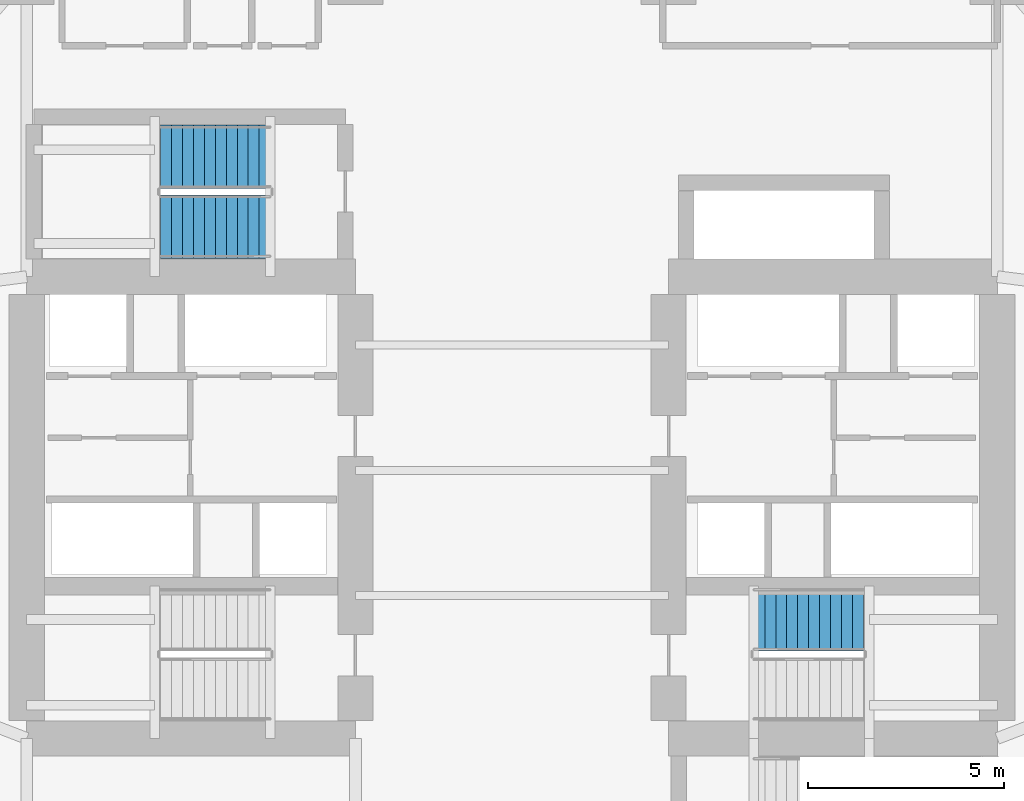
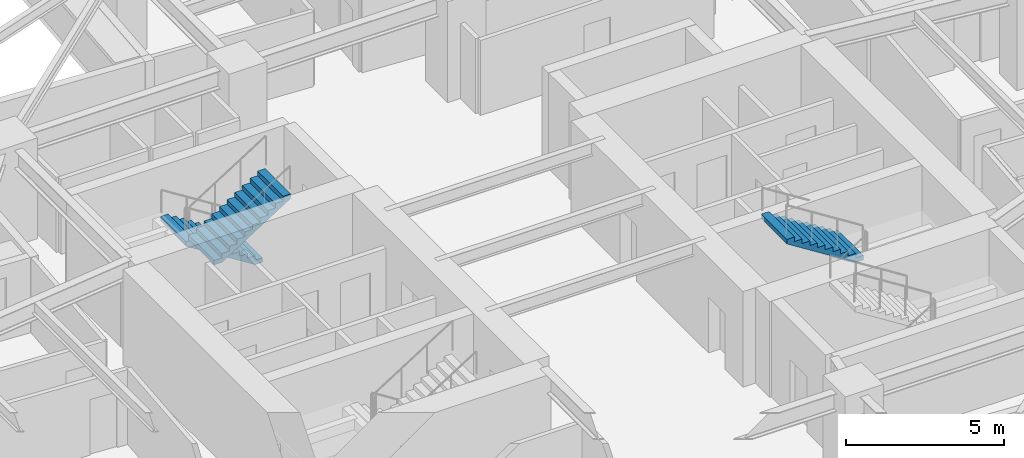
# One storey, part 9 of 14: 3 stair flights, 2 elements without a shape of their own.
"""IFC4 building model written with IfcOpenShell, lengths in metres."""

from ifc_helpers import new_model, si_unit, direction, frame, origin, place, context, subcontext, project, spatial, polyline, outline, extrude, material, layer, layer_set, type_object, element, aggregate, save


model = new_model("IFC4")

# Units and contexts
model_context = context("Model", 3, precision=1e-05, world=origin(), true_north=direction((0.0, 1.0)))
body_context = subcontext(model_context, "Body", "Model", "MODEL_VIEW")
ifc_project = project(units=[si_unit("LENGTHUNIT", "METRE"), si_unit("AREAUNIT", "SQUARE_METRE"), si_unit("VOLUMEUNIT", "CUBIC_METRE"), si_unit("PLANEANGLEUNIT", "RADIAN"), si_unit("MASSUNIT", "GRAM", prefix="KILO")], contexts=[model_context])

# Site, building, storey
site_placement = place(None, origin())
site = spatial("IfcSite", under=ifc_project, at=site_placement, CompositionType="ELEMENT")
building_placement = place(site_placement, origin())
building = spatial("IfcBuilding", under=site, at=building_placement, Name="Qingluan Cross Belvedere", CompositionType="ELEMENT")
storey_placement = place(building_placement, frame((0.0, 0.0, 79.5)))
storey = spatial("IfcBuildingStorey", under=building, at=storey_placement, Name="L20", CompositionType="ELEMENT", Elevation=79.5)

# Stair, stair flight
ifc_material_1 = material(Name="Concrete C40", Category="concrete")
stair_type = type_object("IfcStairType", Name="CoreDoglegStair_1620", PredefinedType="HALF_TURN_STAIR", material=ifc_material_1)
stair_1_placement = place(storey_placement, origin())
stair_1 = element("IfcStair", 1, at=stair_1_placement, inside=storey, type_object=stair_type, Name="L20 ST2", PredefinedType="HALF_TURN_STAIR")
ifc_material_2 = material(Name="Concrete C40", Category="concrete")
ifc_layer = layer(ifc_material_2, 0.179931640625, Name="StairFlight_RC180")
ifc_layer_set = layer_set([ifc_layer], Name="Concrete C40")
stair_flight_type = type_object("IfcStairFlightType", Name="StairFlight_RC180", PredefinedType="STRAIGHT", material=ifc_layer_set)
stair_flight_1_placement = place(storey_placement, frame((8.97998046875, -3.81005859375, 1.949951171875), z_axis=(0.0, 0.0, 1.0), x_axis=(-1.0, 0.0, 0.0)))
stair_flight_1 = element("IfcStairFlight", 2, at=stair_flight_1_placement, type_object=stair_flight_type, Name="ST2 flight 2", NumberOfRisers=11, NumberOfTreads=10, PredefinedType="STRAIGHT", RiserHeight=0.177272727, TreadLength=0.28, context=body_context, shape_type="SweptSolid", body=[
    extrude(outline(polyline([(0.0, 0.0), (0.0, 0.17724609375), (0.280029296875, 0.17724609375), (0.280029296875, 0.3544921875), (0.56005859375, 0.3544921875), (0.56005859375, 0.53173828125), (0.840087890625, 0.53173828125), (0.840087890625, 0.708984375), (1.1201171875, 0.708984375), (1.1201171875, 0.886474609375), (1.39990234375, 0.886474609375), (1.39990234375, 1.063720703125), (1.679931640625, 1.063720703125), (1.679931640625, 1.240966796875), (1.9599609375, 1.240966796875), (1.9599609375, 1.418212890625), (2.239990234375, 1.418212890625), (2.239990234375, 1.595458984375), (2.52001953125, 1.595458984375), (2.52001953125, 1.772705078125), (2.800048828125, 1.772705078125), (2.800048828125, 1.949951171875), (2.800048828125, 1.59521484375), (0.2802734375, 0.0), (0.0, 0.0)])), frame((0.0, 0.81005859375, 0.0), z_axis=(0.0, -1.0, 0.0), x_axis=(1.0, 0.0, 0.0)), (0.0, 0.0, 1.0), 1.6201171875),
])
aggregate(stair_1, [stair_flight_1])

# Stair, stair flights
stair_2_placement = place(storey_placement, origin())
stair_2 = element("IfcStair", 3, at=stair_2_placement, inside=storey, type_object=stair_type, Name="L20 ST3", PredefinedType="HALF_TURN_STAIR")
stair_flight_2_placement = place(storey_placement, frame((-6.179931640625, 8.010009765625, 0.0), z_axis=(0.0, 0.0, 1.0), x_axis=(-1.0, 0.0, 0.0)))
stair_flight_2 = element("IfcStairFlight", 4, at=stair_flight_2_placement, type_object=stair_flight_type, Name="ST3 flight 1", NumberOfRisers=11, NumberOfTreads=10, PredefinedType="STRAIGHT", RiserHeight=0.177272727, TreadLength=0.28, context=body_context, shape_type="SweptSolid", body=[
    extrude(outline(polyline([(0.0, 0.0), (0.0, 0.17724609375), (0.280029296875, 0.17724609375), (0.280029296875, 0.3544921875), (0.56005859375, 0.3544921875), (0.56005859375, 0.53173828125), (0.840087890625, 0.53173828125), (0.840087890625, 0.708984375), (1.1201171875, 0.708984375), (1.1201171875, 0.886474609375), (1.39990234375, 0.886474609375), (1.39990234375, 1.063720703125), (1.679931640625, 1.063720703125), (1.679931640625, 1.240966796875), (1.9599609375, 1.240966796875), (1.9599609375, 1.418212890625), (2.239990234375, 1.418212890625), (2.239990234375, 1.595458984375), (2.52001953125, 1.595458984375), (2.52001953125, 1.772705078125), (2.800048828125, 1.772705078125), (2.800048828125, 1.949951171875), (2.800048828125, 1.59521484375), (0.2802734375, 0.0), (0.0, 0.0)])), frame((0.0, 0.81005859375, 0.0), z_axis=(0.0, -1.0, 0.0), x_axis=(1.0, 0.0, 0.0)), (0.0, 0.0, 1.0), 1.6201171875),
])
stair_flight_3_placement = place(storey_placement, frame((-8.97998046875, 6.22998046875, 1.949951171875), z_axis=(0.0, 0.0, 1.0), x_axis=(1.0, 0.0, 0.0)))
stair_flight_3 = element("IfcStairFlight", 5, at=stair_flight_3_placement, type_object=stair_flight_type, Name="ST3 flight 2", NumberOfRisers=11, NumberOfTreads=10, PredefinedType="STRAIGHT", RiserHeight=0.177272727, TreadLength=0.28, context=body_context, shape_type="SweptSolid", body=[
    extrude(outline(polyline([(0.0, 0.0), (0.0, 0.17724609375), (0.280029296875, 0.17724609375), (0.280029296875, 0.3544921875), (0.56005859375, 0.3544921875), (0.56005859375, 0.53173828125), (0.840087890625, 0.53173828125), (0.840087890625, 0.708984375), (1.1201171875, 0.708984375), (1.1201171875, 0.886474609375), (1.39990234375, 0.886474609375), (1.39990234375, 1.063720703125), (1.679931640625, 1.063720703125), (1.679931640625, 1.240966796875), (1.9599609375, 1.240966796875), (1.9599609375, 1.418212890625), (2.239990234375, 1.418212890625), (2.239990234375, 1.595458984375), (2.52001953125, 1.595458984375), (2.52001953125, 1.772705078125), (2.800048828125, 1.772705078125), (2.800048828125, 1.949951171875), (2.800048828125, 1.59521484375), (0.2802734375, 0.0), (0.0, 0.0)])), frame((0.0, 0.81005859375, 0.0), z_axis=(0.0, -1.0, 0.0), x_axis=(1.0, 0.0, 0.0)), (0.0, 0.0, 1.0), 1.6201171875),
])
aggregate(stair_2, [stair_flight_2, stair_flight_3])

save(model, "model.ifc")
